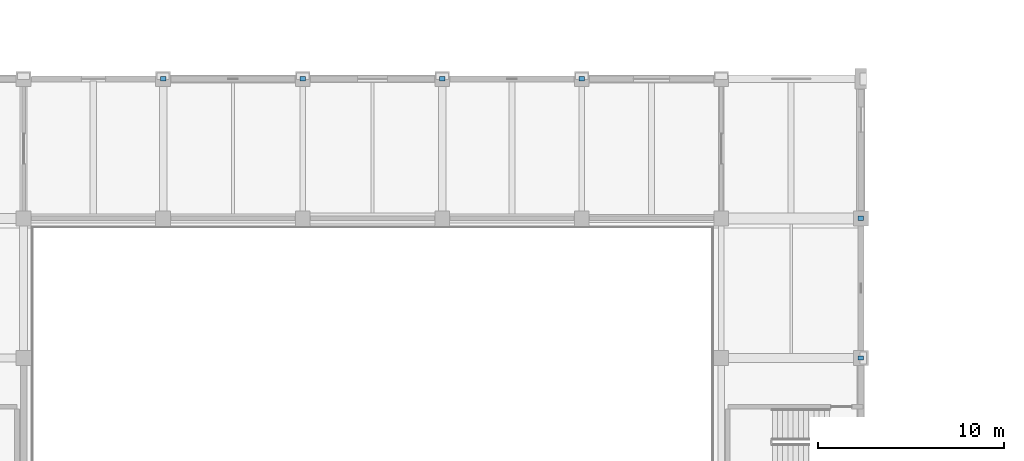
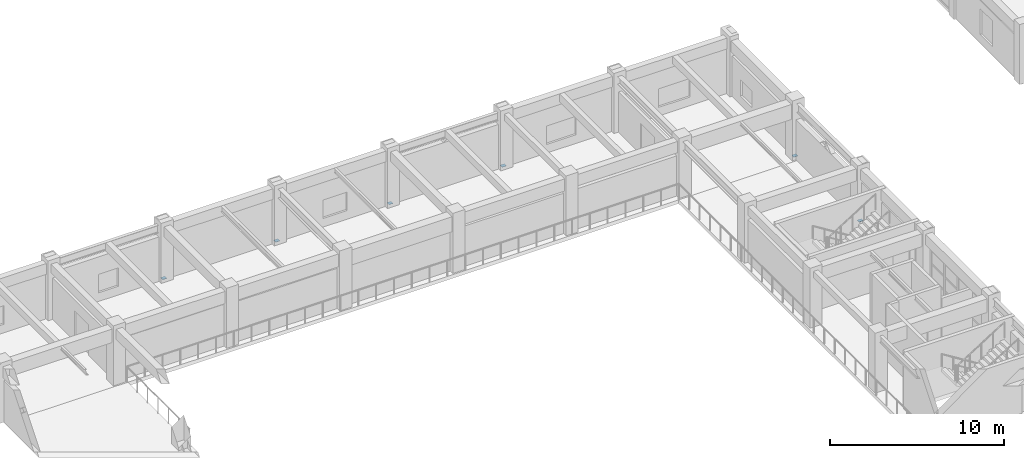
# One storey, part 106 of 124: 6 discrete accessories.
"""IFC4 building model written with IfcOpenShell, lengths in metres."""

from ifc_helpers import new_model, si_unit, direction, frame, origin, origin_2d, place, context, subcontext, project, spatial, rectangle, extrude, material, type_object, element, save


model = new_model("IFC4")

# Units and contexts
model_context = context("Model", 3, precision=1e-05, world=origin(), true_north=direction((0.0, 1.0)))
body_context = subcontext(model_context, "Body", "Model", "MODEL_VIEW")
ifc_project = project(units=[si_unit("LENGTHUNIT", "METRE"), si_unit("AREAUNIT", "SQUARE_METRE"), si_unit("VOLUMEUNIT", "CUBIC_METRE"), si_unit("PLANEANGLEUNIT", "RADIAN"), si_unit("MASSUNIT", "GRAM", prefix="KILO")], contexts=[model_context])

# Site, building, storey
site_placement = place(None, origin())
site = spatial("IfcSite", under=ifc_project, at=site_placement, CompositionType="ELEMENT")
building_placement = place(site_placement, origin())
building = spatial("IfcBuilding", under=site, at=building_placement, Name="Qasida Concert Hall", CompositionType="ELEMENT")
storey_placement = place(building_placement, frame((0.0, 0.0, 9.0)))
storey = spatial("IfcBuildingStorey", under=building, at=storey_placement, Name="L02", CompositionType="ELEMENT", Elevation=9.0)

# Discrete accessories
ifc_material = material(Name="Steel S355J2", Category="steel")
discrete_accessory_type = type_object("IfcDiscreteAccessoryType", Name="ACC-CONN-S355", PredefinedType="BRACKET", material=ifc_material)
for number, where, z_axis, x_axis, name in (
    (1, (105.0, 67.5, -0.011962890625), (0.0, 0.0, 1.0), (1.0, 0.0, 0.0), "Steel brace/strut end connection CN-0196"),
    (2, (105.0, 75.0, -0.011962890625), (0.0, 0.0, 1.0), (1.0, 0.0, 0.0), "Steel brace/strut end connection CN-0197"),
    (3, (67.5, 82.5, -0.011962890625), (0.0, 0.0, 1.0), (1.0, 0.0, 0.0), "Steel brace/strut end connection CN-0208"),
    (4, (75.0, 82.5, -0.011962890625), (0.0, 0.0, 1.0), (1.0, 0.0, 0.0), "Steel brace/strut end connection CN-0209"),
    (5, (82.5, 82.5, -0.011962890625), (0.0, 0.0, 1.0), (1.0, 0.0, 0.0), "Steel brace/strut end connection CN-0220"),
    (6, (90.0, 82.5, -0.011962890625), (0.0, 0.0, 1.0), (1.0, 0.0, 0.0), "Steel brace/strut end connection CN-0221"),
):
    element("IfcDiscreteAccessory", number, at=place(storey_placement, frame(where, z_axis=z_axis, x_axis=x_axis)), inside=storey, type_object=discrete_accessory_type, Name=name, PredefinedType="BRACKET", context=body_context, shape_type="SweptSolid", body=[
        extrude(rectangle(XDim=0.280029296875, YDim=0.239990234375, at=origin_2d()), origin(), (0.0, 0.0, 1.0), 0.02392578125),
    ])

save(model, "model.ifc")
